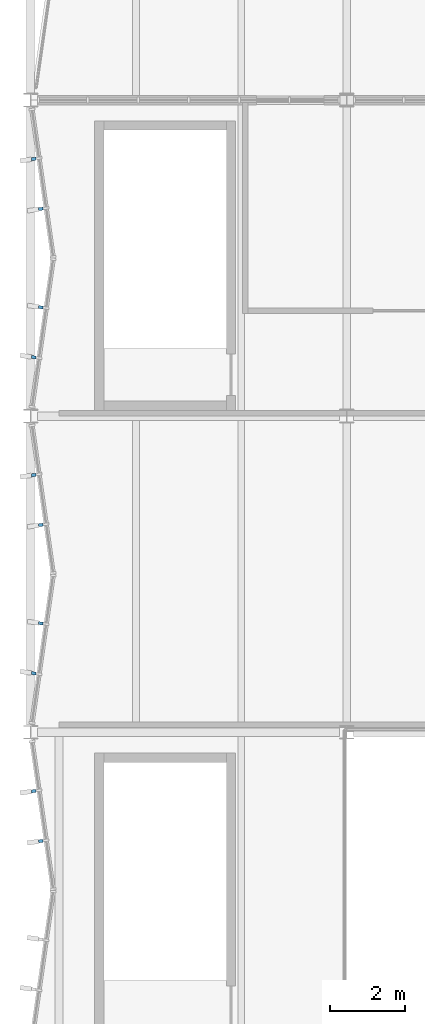
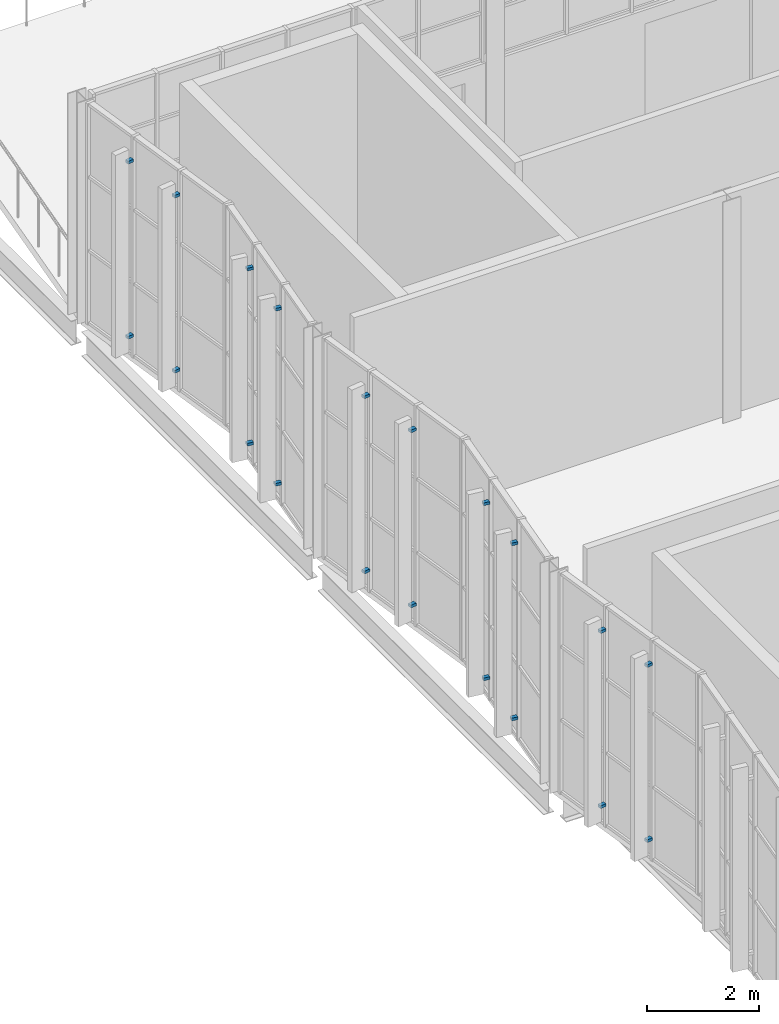
# One storey, part 94 of 116: 20 discrete accessories.
"""IFC4 building model written with IfcOpenShell, lengths in metres."""

from ifc_helpers import new_model, si_unit, direction, frame, origin, origin_2d, place, context, subcontext, project, spatial, rectangle, extrude, material, type_object, element, save


model = new_model("IFC4")

# Units and contexts
model_context = context("Model", 3, precision=1e-05, world=origin(), true_north=direction((0.0, 1.0)))
body_context = subcontext(model_context, "Body", "Model", "MODEL_VIEW")
ifc_project = project(units=[si_unit("LENGTHUNIT", "METRE"), si_unit("AREAUNIT", "SQUARE_METRE"), si_unit("VOLUMEUNIT", "CUBIC_METRE"), si_unit("PLANEANGLEUNIT", "RADIAN"), si_unit("MASSUNIT", "GRAM", prefix="KILO")], contexts=[model_context])

# Site, building, storey
site_placement = place(None, origin())
site = spatial("IfcSite", under=ifc_project, at=site_placement, CompositionType="ELEMENT")
building_placement = place(site_placement, origin())
building = spatial("IfcBuilding", under=site, at=building_placement, Name="Ljudholm Concert House", CompositionType="ELEMENT")
storey_placement = place(building_placement, frame((0.0, 0.0, 10.199951171875)))
storey = spatial("IfcBuildingStorey", under=building, at=storey_placement, Name="L02", CompositionType="ELEMENT", Elevation=10.199951171875)

# Discrete accessories
ifc_material = material(Name="Stainless steel bracket", Category="steel")
discrete_accessory_type = type_object("IfcDiscreteAccessoryType", Name="BRACKET 120", PredefinedType="BRACKET", material=ifc_material)
for number, where, z_axis, x_axis, name in (
    (1, (4.271728515625, 101.90771484375, 0.469970703125), (0.0, 0.0, 1.0), (-0.989949493662, -0.141421356235, 0.0), "Fin bracket"),
    (2, (4.271728515625, 101.90771484375, 4.27001953125), (0.0, 0.0, 1.0), (-0.989949493662, -0.141421356235, 0.0), "Fin bracket"),
    (3, (4.08203125, 103.235107421875, 0.469970703125), (0.0, 0.0, 1.0), (-0.989949493662, -0.141421356235, 0.0), "Fin bracket"),
    (4, (4.08203125, 103.235107421875, 4.27001953125), (0.0, 0.0, 1.0), (-0.989949493662, -0.141421356235, 0.0), "Fin bracket"),
    (5, (4.08203125, 106.364990234375, 0.469970703125), (0.0, 0.0, 1.0), (-0.989949493662, 0.141421356235, 0.0), "Fin bracket"),
    (6, (4.08203125, 106.364990234375, 4.27001953125), (0.0, 0.0, 1.0), (-0.989949493662, 0.141421356235, 0.0), "Fin bracket"),
    (7, (4.271728515625, 107.6923828125, 0.469970703125), (0.0, 0.0, 1.0), (-0.989949493662, 0.141421356235, 0.0), "Fin bracket"),
    (8, (4.271728515625, 107.6923828125, 4.27001953125), (0.0, 0.0, 1.0), (-0.989949493662, 0.141421356235, 0.0), "Fin bracket"),
    (9, (4.271728515625, 110.3076171875, 0.469970703125), (0.0, 0.0, 1.0), (-0.989949493662, -0.141421356235, 0.0), "Fin bracket"),
    (10, (4.271728515625, 110.3076171875, 4.27001953125), (0.0, 0.0, 1.0), (-0.989949493662, -0.141421356235, 0.0), "Fin bracket"),
    (11, (4.08203125, 111.635009765625, 0.469970703125), (0.0, 0.0, 1.0), (-0.989949493662, -0.141421356235, 0.0), "Fin bracket"),
    (12, (4.08203125, 111.635009765625, 4.27001953125), (0.0, 0.0, 1.0), (-0.989949493662, -0.141421356235, 0.0), "Fin bracket"),
    (13, (4.08203125, 114.764892578125, 0.469970703125), (0.0, 0.0, 1.0), (-0.989949493662, 0.141421356235, 0.0), "Fin bracket"),
    (14, (4.08203125, 114.764892578125, 4.27001953125), (0.0, 0.0, 1.0), (-0.989949493662, 0.141421356235, 0.0), "Fin bracket"),
    (15, (4.271728515625, 116.09228515625, 0.469970703125), (0.0, 0.0, 1.0), (-0.989949493662, 0.141421356235, 0.0), "Fin bracket"),
    (16, (4.271728515625, 116.09228515625, 4.27001953125), (0.0, 0.0, 1.0), (-0.989949493662, 0.141421356235, 0.0), "Fin bracket"),
    (17, (4.271728515625, 118.70751953125, 0.469970703125), (0.0, 0.0, 1.0), (-0.989949493662, -0.141421356235, 0.0), "Fin bracket"),
    (18, (4.271728515625, 118.70751953125, 4.27001953125), (0.0, 0.0, 1.0), (-0.989949493662, -0.141421356235, 0.0), "Fin bracket"),
    (19, (4.08203125, 120.034912109375, 0.469970703125), (0.0, 0.0, 1.0), (-0.989949493662, -0.141421356235, 0.0), "Fin bracket"),
    (20, (4.08203125, 120.034912109375, 4.27001953125), (0.0, 0.0, 1.0), (-0.989949493662, -0.141421356235, 0.0), "Fin bracket"),
):
    element("IfcDiscreteAccessory", number, at=place(storey_placement, frame(where, z_axis=z_axis, x_axis=x_axis)), inside=storey, type_object=discrete_accessory_type, Name=name, PredefinedType="BRACKET", context=body_context, shape_type="SweptSolid", body=[
        extrude(rectangle(XDim=0.1201171875, YDim=0.080078125, at=origin_2d()), origin(), (0.0, 0.0, 1.0), 0.06005859375),
    ])

save(model, "model.ifc")
